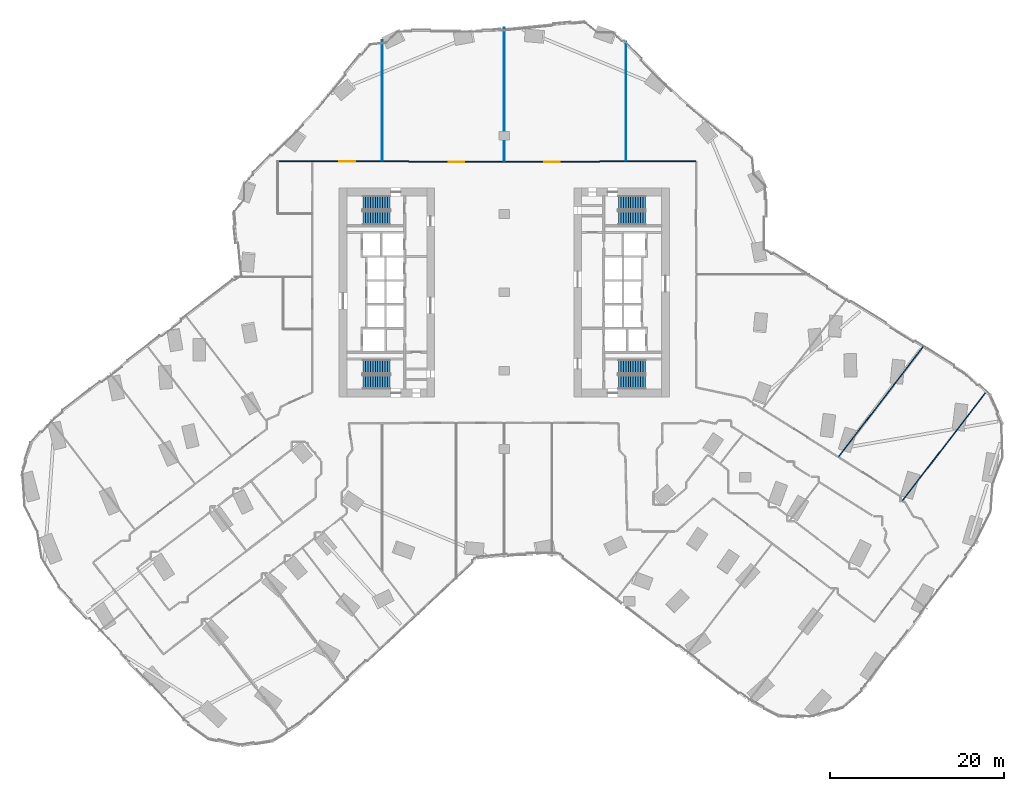
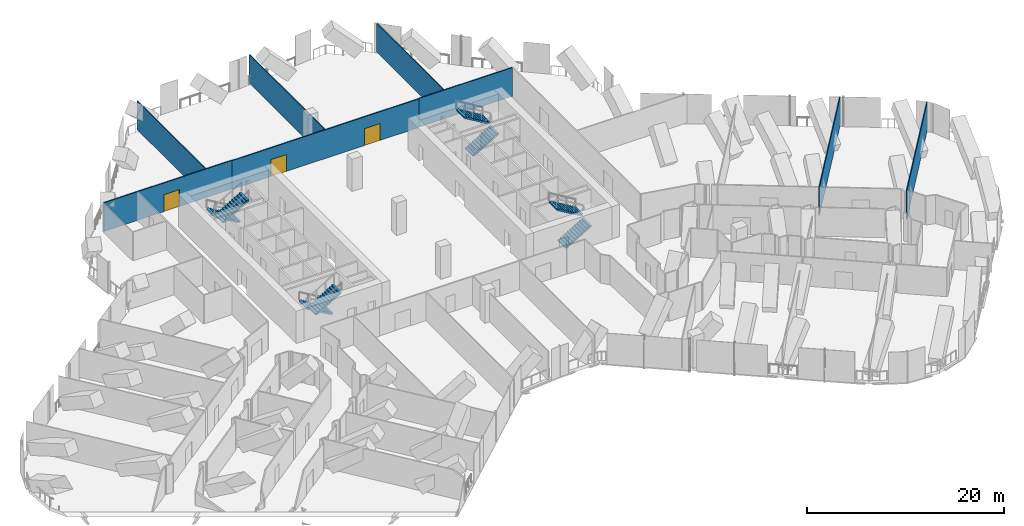
# One storey, part 29 of 32: 8 stair flights, 8 walls, 3 doors, 3 openings, 4 elements without a shape of their own.
"""IFC4 building model written with IfcOpenShell, lengths in metres."""

from ifc_helpers import new_model, si_unit, direction, frame, frame_2d, origin, place, context, subcontext, project, spatial, polyline, rectangle, outline, extrude, material, layer, layer_set, type_object, element, fill, aggregate, save


model = new_model("IFC4")

# Units and contexts
model_context = context("Model", 3, precision=1e-05, world=origin(), true_north=direction((0.0, 1.0)))
body_context = subcontext(model_context, "Body", "Model", "MODEL_VIEW")
ifc_project = project(units=[si_unit("LENGTHUNIT", "METRE"), si_unit("AREAUNIT", "SQUARE_METRE"), si_unit("VOLUMEUNIT", "CUBIC_METRE"), si_unit("PLANEANGLEUNIT", "RADIAN"), si_unit("MASSUNIT", "GRAM", prefix="KILO")], contexts=[model_context])

# Site, building, storey
site_placement = place(None, origin())
site = spatial("IfcSite", under=ifc_project, at=site_placement, CompositionType="ELEMENT")
building_placement = place(site_placement, origin())
building = spatial("IfcBuilding", under=site, at=building_placement, Name="Orlundy Tower", CompositionType="ELEMENT")
storey_placement = place(building_placement, frame((0.0, 0.0, 33.300048828125)))
storey = spatial("IfcBuildingStorey", under=building, at=storey_placement, Name="L06", CompositionType="ELEMENT", Elevation=33.300048828125)

# Walls
ifc_material_1 = material(Name="Gypsum board partition")
ifc_layer_1 = layer(ifc_material_1, 0.10009765625)
ifc_layer_set_1 = layer_set([ifc_layer_1], Name="Floor partition 100")
wall_type_1 = type_object("IfcWallType", Name="Floor partition 100", PredefinedType="PARTITIONING", material=ifc_layer_set_1)
wall_1_placement = place(storey_placement, frame((45.787109375, -23.94189453125, 0.0), z_axis=(0.0, 0.0, 1.0), x_axis=(0.608772061456, 0.793345181614, 0.0)))
element("IfcWall", 1, at=wall_1_placement, inside=storey, type_object=wall_type_1, Name="wall-int-L06-120", PredefinedType="PARTITIONING", context=body_context, shape_type="SweptSolid", body=[
    extrude(rectangle(XDim=15.9072265625, YDim=0.10009765625, at=frame_2d((7.95361328125, 0.0))), origin(), (0.0, 0.0, 1.0), 3.56005859375),
])
wall_2_placement = place(storey_placement, frame((38.416015625, -18.927978515625, 0.0), z_axis=(0.0, 0.0, 1.0), x_axis=(0.608783820642, 0.793336158084, 0.0)))
element("IfcWall", 2, at=wall_2_placement, inside=storey, type_object=wall_type_1, Name="wall-int-L06-123", PredefinedType="PARTITIONING", context=body_context, shape_type="SweptSolid", body=[
    extrude(rectangle(XDim=16.14697265625, YDim=0.10009765625, at=frame_2d((8.073486328125, 0.0))), origin(), (0.0, 0.0, 1.0), 3.56005859375),
])
wall_3_placement = place(storey_placement, frame((14.0, 15.114013671875, 0.0), z_axis=(0.0, 0.0, 1.0), x_axis=(0.0, 1.0, 0.0)))
element("IfcWall", 3, at=wall_3_placement, inside=storey, type_object=wall_type_1, Name="wall-int-L06-146", PredefinedType="PARTITIONING", context=body_context, shape_type="SweptSolid", body=[
    extrude(rectangle(XDim=13.666015625, YDim=0.10009765625, at=frame_2d((6.8330078125, 0.0))), origin(), (0.0, 0.0, 1.0), 3.56005859375),
])
wall_4_placement = place(storey_placement, frame((0.0, 15.06298828125, 0.0), z_axis=(0.0, 0.0, 1.0), x_axis=(0.0, 1.0, 0.0)))
element("IfcWall", 4, at=wall_4_placement, inside=storey, type_object=wall_type_1, Name="wall-int-L06-149", PredefinedType="PARTITIONING", context=body_context, shape_type="SweptSolid", body=[
    extrude(rectangle(XDim=15.3349609375, YDim=0.10009765625, at=frame_2d((7.66748046875, 0.0))), origin(), (0.0, 0.0, 1.0), 3.56005859375),
])
wall_5_placement = place(storey_placement, frame((-14.0, 15.114013671875, 0.0), z_axis=(0.0, 0.0, 1.0), x_axis=(0.0, 1.0, 0.0)))
element("IfcWall", 5, at=wall_5_placement, inside=storey, type_object=wall_type_1, Name="wall-int-L06-152", PredefinedType="PARTITIONING", context=body_context, shape_type="SweptSolid", body=[
    extrude(rectangle(XDim=13.89501953125, YDim=0.10009765625, at=frame_2d((6.947509765625, 0.0))), origin(), (0.0, 0.0, 1.0), 3.56005859375),
])

# Wall, openings, doors
ifc_material_2 = material(Name="Gypsum board partition, double layer")
ifc_layer_2 = layer(ifc_material_2, 0.125)
ifc_layer_set_2 = layer_set([ifc_layer_2], Name="Floor partition 125")
wall_type_2 = type_object("IfcWallType", Name="Floor partition 125", PredefinedType="PARTITIONING", material=ifc_layer_set_2)
wall_6_placement = place(storey_placement, frame((-10.989990234375, 15.0009765625, 0.0), z_axis=(0.0, 0.0, 1.0), x_axis=(1.0, 0.0, 0.0)))
wall_6 = element("IfcWall", 6, at=wall_6_placement, inside=storey, type_object=wall_type_2, Name="wall-int-L06-083", PredefinedType="PARTITIONING", context=body_context, shape_type="SweptSolid", body=[
    extrude(rectangle(XDim=21.97998046875, YDim=0.125, at=frame_2d((10.989990234375, 0.0))), origin(), (0.0, 0.0, 1.0), 3.56005859375),
])
opening_1_placement = place(wall_6_placement, frame((15.590087890625, 0.0, 0.0)))
opening_1 = element("IfcOpeningElement", 7, at=opening_1_placement, cuts=wall_6, Name="Opening 07128", PredefinedType="OPENING", context=body_context, shape_type="SweptSolid", body=[
    extrude(rectangle(XDim=1.800048828125, YDim=2.10009765625, at=frame_2d((0.89990234375, 1.050048828125))), frame((0.0, 0.072509765625, 0.0), z_axis=(0.0, -1.0, 0.0), x_axis=(1.0, 0.0, 0.0)), (0.0, 0.0, 1.0), 0.14501953125),
])
opening_2_placement = place(wall_6_placement, frame((4.60009765625, 0.0, 0.0)))
opening_2 = element("IfcOpeningElement", 8, at=opening_2_placement, cuts=wall_6, Name="Opening 07129", PredefinedType="OPENING", context=body_context, shape_type="SweptSolid", body=[
    extrude(rectangle(XDim=1.800048828125, YDim=2.10009765625, at=frame_2d((0.89990234375, 1.050048828125))), frame((0.0, 0.072509765625, 0.0), z_axis=(0.0, -1.0, 0.0), x_axis=(1.0, 0.0, 0.0)), (0.0, 0.0, 1.0), 0.14501953125),
])
ifc_material_3 = material(Name="Timber door leaf", Category="wood")
door_type = type_object("IfcDoorType", Name="Floor door double 1800 FD30S", OperationType="NOTDEFINED", PredefinedType="DOOR", material=ifc_material_3)
door_1_placement = place(opening_1_placement, origin())
door_1 = element("IfcDoor", 9, at=door_1_placement, inside=storey, type_object=door_type, Name="Door 07128", OperationType="DOUBLE_DOOR_SINGLE_SWING", OverallHeight=2.10009765625, OverallWidth=1.800048828125, PredefinedType="DOOR", context=body_context, shape_type="SweptSolid", body=[
    extrude(rectangle(XDim=1.800048828125, YDim=2.10009765625, at=frame_2d((0.89990234375, 1.050048828125))), frame((0.0, 0.02490234375, 0.0), z_axis=(0.0, -1.0, 0.0), x_axis=(1.0, 0.0, 0.0)), (0.0, 0.0, 1.0), 0.050048828125),
])
fill(opening_1, door_1)
door_2_placement = place(opening_2_placement, origin())
door_2 = element("IfcDoor", 10, at=door_2_placement, inside=storey, type_object=door_type, Name="Door 07129", OperationType="DOUBLE_DOOR_SINGLE_SWING", OverallHeight=2.10009765625, OverallWidth=1.800048828125, PredefinedType="DOOR", context=body_context, shape_type="SweptSolid", body=[
    extrude(rectangle(XDim=1.800048828125, YDim=2.10009765625, at=frame_2d((0.89990234375, 1.050048828125))), frame((0.0, 0.02490234375, 0.0), z_axis=(0.0, -1.0, 0.0), x_axis=(1.0, 0.0, 0.0)), (0.0, 0.0, 1.0), 0.050048828125),
])
fill(opening_2, door_2)

# Wall, opening, door
wall_7_placement = place(storey_placement, frame((-25.998046875, 15.050048828125, 0.0), z_axis=(0.0, 0.0, 1.0), x_axis=(1.0, 0.0, 0.0)))
wall_7 = element("IfcWall", 11, at=wall_7_placement, inside=storey, type_object=wall_type_2, Name="wall-int-L06-084", PredefinedType="PARTITIONING", context=body_context, shape_type="SweptSolid", body=[
    extrude(rectangle(XDim=15.007080078125, YDim=0.125, at=frame_2d((7.50341796875, 0.0))), origin(), (0.0, 0.0, 1.0), 3.56005859375),
])
opening_3_placement = place(wall_7_placement, frame((7.048095703125, 0.0, 0.0)))
opening_3 = element("IfcOpeningElement", 12, at=opening_3_placement, cuts=wall_7, Name="Opening 07130", PredefinedType="OPENING", context=body_context, shape_type="SweptSolid", body=[
    extrude(rectangle(XDim=1.800048828125, YDim=2.10009765625, at=frame_2d((0.89990234375, 1.050048828125))), frame((0.0, 0.072509765625, 0.0), z_axis=(0.0, -1.0, 0.0), x_axis=(1.0, 0.0, 0.0)), (0.0, 0.0, 1.0), 0.14501953125),
])
door_3_placement = place(opening_3_placement, origin())
door_3 = element("IfcDoor", 13, at=door_3_placement, inside=storey, type_object=door_type, Name="Door 07130", OperationType="DOUBLE_DOOR_SINGLE_SWING", OverallHeight=2.10009765625, OverallWidth=1.800048828125, PredefinedType="DOOR", context=body_context, shape_type="SweptSolid", body=[
    extrude(rectangle(XDim=1.800048828125, YDim=2.10009765625, at=frame_2d((0.89990234375, 1.050048828125))), frame((0.0, 0.02490234375, 0.0), z_axis=(0.0, -1.0, 0.0), x_axis=(1.0, 0.0, 0.0)), (0.0, 0.0, 1.0), 0.050048828125),
])
fill(opening_3, door_3)

# Wall
wall_8_placement = place(storey_placement, frame((10.990966796875, 15.051025390625, 0.0), z_axis=(0.0, 0.0, 1.0), x_axis=(1.0, 0.0, 0.0)))
element("IfcWall", 14, at=wall_8_placement, inside=storey, type_object=wall_type_2, Name="wall-int-L06-085", PredefinedType="PARTITIONING", context=body_context, shape_type="SweptSolid", body=[
    extrude(rectangle(XDim=10.9970703125, YDim=0.125, at=frame_2d((5.49853515625, 0.0))), origin(), (0.0, 0.0, 1.0), 3.56005859375),
])

# Stair, stair flights
ifc_material_4 = material(Name="Concrete C50/60", Category="concrete")
stair_type = type_object("IfcStairType", Name="Exit Stair 24 risers", PredefinedType="HALF_TURN_STAIR", material=ifc_material_4)
stair_1_placement = place(storey_placement, origin())
stair_1 = element("IfcStair", 15, at=stair_1_placement, inside=storey, type_object=stair_type, Name="L06 Exit Stair ST-W1", PredefinedType="HALF_TURN_STAIR")
ifc_material_5 = material(Name="Concrete C50/60", Category="concrete")
stair_flight_type = type_object("IfcStairFlightType", Name="Stair Flight 12 risers", PredefinedType="STRAIGHT", material=ifc_material_5)
stair_flight_1_placement = place(storey_placement, frame((-13.139892578125, 10.300048828125, 0.0), z_axis=(0.0, 0.0, 1.0), x_axis=(-1.0, 0.0, 0.0)))
stair_flight_1 = element("IfcStairFlight", 16, at=stair_flight_1_placement, type_object=stair_flight_type, Name="ST-W1 flight 1", NumberOfRisers=12, NumberOfTreads=11, PredefinedType="STRAIGHT", RiserHeight=0.166666667, TreadLength=0.28, context=body_context, shape_type="SweptSolid", body=[
    extrude(outline(polyline([(0.0, 0.0), (0.0, 0.166748046875), (0.280029296875, 0.166748046875), (0.280029296875, 0.333251953125), (0.56005859375, 0.333251953125), (0.56005859375, 0.5), (0.840087890625, 0.5), (0.840087890625, 0.666748046875), (1.1201171875, 0.666748046875), (1.1201171875, 0.833251953125), (1.39990234375, 0.833251953125), (1.39990234375, 1.0), (1.679931640625, 1.0), (1.679931640625, 1.166748046875), (1.9599609375, 1.166748046875), (1.9599609375, 1.333251953125), (2.239990234375, 1.333251953125), (2.239990234375, 1.5), (2.52001953125, 1.5), (2.52001953125, 1.666748046875), (2.800048828125, 1.666748046875), (2.800048828125, 1.833251953125), (3.080078125, 1.833251953125), (3.080078125, 2.0), (3.080078125, 1.658935546875), (0.29296875, 0.0), (0.0, 0.0)])), frame((0.0, 0.800048828125, 0.0), z_axis=(0.0, -1.0, 0.0), x_axis=(1.0, 0.0, 0.0)), (0.0, 0.0, 1.0), 1.60009765625),
])
stair_flight_2_placement = place(storey_placement, frame((-16.219970703125, 8.550048828125, 2.0), z_axis=(0.0, 0.0, 1.0), x_axis=(1.0, 0.0, 0.0)))
stair_flight_2 = element("IfcStairFlight", 17, at=stair_flight_2_placement, type_object=stair_flight_type, Name="ST-W1 flight 2", NumberOfRisers=12, NumberOfTreads=11, PredefinedType="STRAIGHT", RiserHeight=0.166666667, TreadLength=0.28, context=body_context, shape_type="SweptSolid", body=[
    extrude(outline(polyline([(0.0, 0.0), (0.0, 0.166748046875), (0.280029296875, 0.166748046875), (0.280029296875, 0.333251953125), (0.56005859375, 0.333251953125), (0.56005859375, 0.5), (0.840087890625, 0.5), (0.840087890625, 0.666748046875), (1.1201171875, 0.666748046875), (1.1201171875, 0.833251953125), (1.39990234375, 0.833251953125), (1.39990234375, 1.0), (1.679931640625, 1.0), (1.679931640625, 1.166748046875), (1.9599609375, 1.166748046875), (1.9599609375, 1.333251953125), (2.239990234375, 1.333251953125), (2.239990234375, 1.5), (2.52001953125, 1.5), (2.52001953125, 1.666748046875), (2.800048828125, 1.666748046875), (2.800048828125, 1.833251953125), (3.080078125, 1.833251953125), (3.080078125, 2.0), (3.080078125, 1.658935546875), (0.29296875, 0.0), (0.0, 0.0)])), frame((0.0, 0.800048828125, 0.0), z_axis=(0.0, -1.0, 0.0), x_axis=(1.0, 0.0, 0.0)), (0.0, 0.0, 1.0), 1.60009765625),
])
aggregate(stair_1, [stair_flight_1, stair_flight_2])

stair_2_placement = place(storey_placement, origin())
stair_2 = element("IfcStair", 18, at=stair_2_placement, inside=storey, type_object=stair_type, Name="L06 Exit Stair ST-W2", PredefinedType="HALF_TURN_STAIR")
stair_flight_3_placement = place(storey_placement, frame((-13.139892578125, -8.550048828125, 0.0), z_axis=(0.0, 0.0, 1.0), x_axis=(-1.0, 0.0, 0.0)))
stair_flight_3 = element("IfcStairFlight", 19, at=stair_flight_3_placement, type_object=stair_flight_type, Name="ST-W2 flight 1", NumberOfRisers=12, NumberOfTreads=11, PredefinedType="STRAIGHT", RiserHeight=0.166666667, TreadLength=0.28, context=body_context, shape_type="SweptSolid", body=[
    extrude(outline(polyline([(0.0, 0.0), (0.0, 0.166748046875), (0.280029296875, 0.166748046875), (0.280029296875, 0.333251953125), (0.56005859375, 0.333251953125), (0.56005859375, 0.5), (0.840087890625, 0.5), (0.840087890625, 0.666748046875), (1.1201171875, 0.666748046875), (1.1201171875, 0.833251953125), (1.39990234375, 0.833251953125), (1.39990234375, 1.0), (1.679931640625, 1.0), (1.679931640625, 1.166748046875), (1.9599609375, 1.166748046875), (1.9599609375, 1.333251953125), (2.239990234375, 1.333251953125), (2.239990234375, 1.5), (2.52001953125, 1.5), (2.52001953125, 1.666748046875), (2.800048828125, 1.666748046875), (2.800048828125, 1.833251953125), (3.080078125, 1.833251953125), (3.080078125, 2.0), (3.080078125, 1.658935546875), (0.29296875, 0.0), (0.0, 0.0)])), frame((0.0, 0.800048828125, 0.0), z_axis=(0.0, -1.0, 0.0), x_axis=(1.0, 0.0, 0.0)), (0.0, 0.0, 1.0), 1.60009765625),
])
stair_flight_4_placement = place(storey_placement, frame((-16.219970703125, -10.300048828125, 2.0), z_axis=(0.0, 0.0, 1.0), x_axis=(1.0, 0.0, 0.0)))
stair_flight_4 = element("IfcStairFlight", 20, at=stair_flight_4_placement, type_object=stair_flight_type, Name="ST-W2 flight 2", NumberOfRisers=12, NumberOfTreads=11, PredefinedType="STRAIGHT", RiserHeight=0.166666667, TreadLength=0.28, context=body_context, shape_type="SweptSolid", body=[
    extrude(outline(polyline([(0.0, 0.0), (0.0, 0.166748046875), (0.280029296875, 0.166748046875), (0.280029296875, 0.333251953125), (0.56005859375, 0.333251953125), (0.56005859375, 0.5), (0.840087890625, 0.5), (0.840087890625, 0.666748046875), (1.1201171875, 0.666748046875), (1.1201171875, 0.833251953125), (1.39990234375, 0.833251953125), (1.39990234375, 1.0), (1.679931640625, 1.0), (1.679931640625, 1.166748046875), (1.9599609375, 1.166748046875), (1.9599609375, 1.333251953125), (2.239990234375, 1.333251953125), (2.239990234375, 1.5), (2.52001953125, 1.5), (2.52001953125, 1.666748046875), (2.800048828125, 1.666748046875), (2.800048828125, 1.833251953125), (3.080078125, 1.833251953125), (3.080078125, 2.0), (3.080078125, 1.658935546875), (0.29296875, 0.0), (0.0, 0.0)])), frame((0.0, 0.800048828125, 0.0), z_axis=(0.0, -1.0, 0.0), x_axis=(1.0, 0.0, 0.0)), (0.0, 0.0, 1.0), 1.60009765625),
])
aggregate(stair_2, [stair_flight_3, stair_flight_4])

stair_3_placement = place(storey_placement, origin())
stair_3 = element("IfcStair", 21, at=stair_3_placement, inside=storey, type_object=stair_type, Name="L06 Exit Stair ST-E1", PredefinedType="HALF_TURN_STAIR")
stair_flight_5_placement = place(storey_placement, frame((13.139892578125, -10.300048828125, 0.0), z_axis=(0.0, 0.0, 1.0), x_axis=(1.0, 0.0, 0.0)))
stair_flight_5 = element("IfcStairFlight", 22, at=stair_flight_5_placement, type_object=stair_flight_type, Name="ST-E1 flight 1", NumberOfRisers=12, NumberOfTreads=11, PredefinedType="STRAIGHT", RiserHeight=0.166666667, TreadLength=0.28, context=body_context, shape_type="SweptSolid", body=[
    extrude(outline(polyline([(0.0, 0.0), (0.0, 0.166748046875), (0.280029296875, 0.166748046875), (0.280029296875, 0.333251953125), (0.56005859375, 0.333251953125), (0.56005859375, 0.5), (0.840087890625, 0.5), (0.840087890625, 0.666748046875), (1.1201171875, 0.666748046875), (1.1201171875, 0.833251953125), (1.39990234375, 0.833251953125), (1.39990234375, 1.0), (1.679931640625, 1.0), (1.679931640625, 1.166748046875), (1.9599609375, 1.166748046875), (1.9599609375, 1.333251953125), (2.239990234375, 1.333251953125), (2.239990234375, 1.5), (2.52001953125, 1.5), (2.52001953125, 1.666748046875), (2.800048828125, 1.666748046875), (2.800048828125, 1.833251953125), (3.080078125, 1.833251953125), (3.080078125, 2.0), (3.080078125, 1.658935546875), (0.29296875, 0.0), (0.0, 0.0)])), frame((0.0, 0.800048828125, 0.0), z_axis=(0.0, -1.0, 0.0), x_axis=(1.0, 0.0, 0.0)), (0.0, 0.0, 1.0), 1.60009765625),
])
stair_flight_6_placement = place(storey_placement, frame((16.219970703125, -8.550048828125, 2.0), z_axis=(0.0, 0.0, 1.0), x_axis=(-1.0, 0.0, 0.0)))
stair_flight_6 = element("IfcStairFlight", 23, at=stair_flight_6_placement, type_object=stair_flight_type, Name="ST-E1 flight 2", NumberOfRisers=12, NumberOfTreads=11, PredefinedType="STRAIGHT", RiserHeight=0.166666667, TreadLength=0.28, context=body_context, shape_type="SweptSolid", body=[
    extrude(outline(polyline([(0.0, 0.0), (0.0, 0.166748046875), (0.280029296875, 0.166748046875), (0.280029296875, 0.333251953125), (0.56005859375, 0.333251953125), (0.56005859375, 0.5), (0.840087890625, 0.5), (0.840087890625, 0.666748046875), (1.1201171875, 0.666748046875), (1.1201171875, 0.833251953125), (1.39990234375, 0.833251953125), (1.39990234375, 1.0), (1.679931640625, 1.0), (1.679931640625, 1.166748046875), (1.9599609375, 1.166748046875), (1.9599609375, 1.333251953125), (2.239990234375, 1.333251953125), (2.239990234375, 1.5), (2.52001953125, 1.5), (2.52001953125, 1.666748046875), (2.800048828125, 1.666748046875), (2.800048828125, 1.833251953125), (3.080078125, 1.833251953125), (3.080078125, 2.0), (3.080078125, 1.658935546875), (0.29296875, 0.0), (0.0, 0.0)])), frame((0.0, 0.800048828125, 0.0), z_axis=(0.0, -1.0, 0.0), x_axis=(1.0, 0.0, 0.0)), (0.0, 0.0, 1.0), 1.60009765625),
])
aggregate(stair_3, [stair_flight_5, stair_flight_6])

stair_4_placement = place(storey_placement, origin())
stair_4 = element("IfcStair", 24, at=stair_4_placement, inside=storey, type_object=stair_type, Name="L06 Exit Stair ST-E2", PredefinedType="HALF_TURN_STAIR")
stair_flight_7_placement = place(storey_placement, frame((13.139892578125, 8.550048828125, 0.0), z_axis=(0.0, 0.0, 1.0), x_axis=(1.0, 0.0, 0.0)))
stair_flight_7 = element("IfcStairFlight", 25, at=stair_flight_7_placement, type_object=stair_flight_type, Name="ST-E2 flight 1", NumberOfRisers=12, NumberOfTreads=11, PredefinedType="STRAIGHT", RiserHeight=0.166666667, TreadLength=0.28, context=body_context, shape_type="SweptSolid", body=[
    extrude(outline(polyline([(0.0, 0.0), (0.0, 0.166748046875), (0.280029296875, 0.166748046875), (0.280029296875, 0.333251953125), (0.56005859375, 0.333251953125), (0.56005859375, 0.5), (0.840087890625, 0.5), (0.840087890625, 0.666748046875), (1.1201171875, 0.666748046875), (1.1201171875, 0.833251953125), (1.39990234375, 0.833251953125), (1.39990234375, 1.0), (1.679931640625, 1.0), (1.679931640625, 1.166748046875), (1.9599609375, 1.166748046875), (1.9599609375, 1.333251953125), (2.239990234375, 1.333251953125), (2.239990234375, 1.5), (2.52001953125, 1.5), (2.52001953125, 1.666748046875), (2.800048828125, 1.666748046875), (2.800048828125, 1.833251953125), (3.080078125, 1.833251953125), (3.080078125, 2.0), (3.080078125, 1.658935546875), (0.29296875, 0.0), (0.0, 0.0)])), frame((0.0, 0.800048828125, 0.0), z_axis=(0.0, -1.0, 0.0), x_axis=(1.0, 0.0, 0.0)), (0.0, 0.0, 1.0), 1.60009765625),
])
stair_flight_8_placement = place(storey_placement, frame((16.219970703125, 10.300048828125, 2.0), z_axis=(0.0, 0.0, 1.0), x_axis=(-1.0, 0.0, 0.0)))
stair_flight_8 = element("IfcStairFlight", 26, at=stair_flight_8_placement, type_object=stair_flight_type, Name="ST-E2 flight 2", NumberOfRisers=12, NumberOfTreads=11, PredefinedType="STRAIGHT", RiserHeight=0.166666667, TreadLength=0.28, context=body_context, shape_type="SweptSolid", body=[
    extrude(outline(polyline([(0.0, 0.0), (0.0, 0.166748046875), (0.280029296875, 0.166748046875), (0.280029296875, 0.333251953125), (0.56005859375, 0.333251953125), (0.56005859375, 0.5), (0.840087890625, 0.5), (0.840087890625, 0.666748046875), (1.1201171875, 0.666748046875), (1.1201171875, 0.833251953125), (1.39990234375, 0.833251953125), (1.39990234375, 1.0), (1.679931640625, 1.0), (1.679931640625, 1.166748046875), (1.9599609375, 1.166748046875), (1.9599609375, 1.333251953125), (2.239990234375, 1.333251953125), (2.239990234375, 1.5), (2.52001953125, 1.5), (2.52001953125, 1.666748046875), (2.800048828125, 1.666748046875), (2.800048828125, 1.833251953125), (3.080078125, 1.833251953125), (3.080078125, 2.0), (3.080078125, 1.658935546875), (0.29296875, 0.0), (0.0, 0.0)])), frame((0.0, 0.800048828125, 0.0), z_axis=(0.0, -1.0, 0.0), x_axis=(1.0, 0.0, 0.0)), (0.0, 0.0, 1.0), 1.60009765625),
])
aggregate(stair_4, [stair_flight_7, stair_flight_8])

save(model, "model.ifc")
